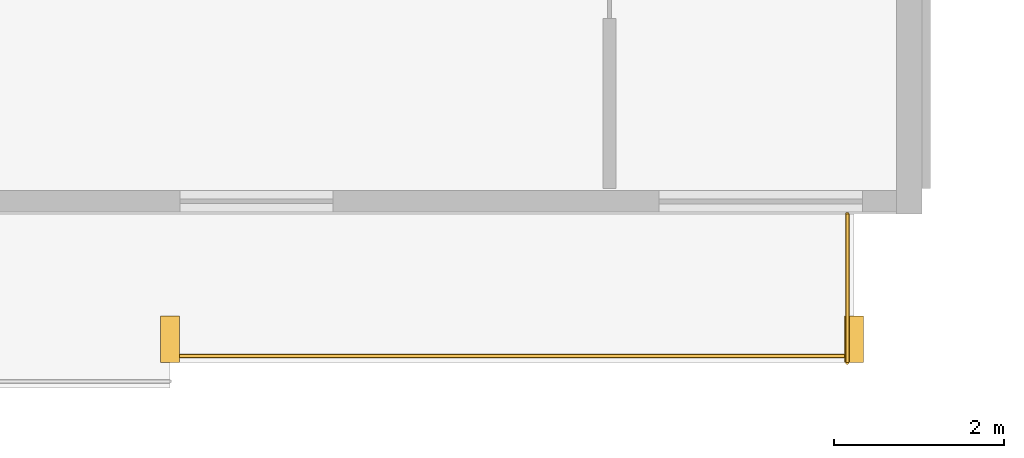
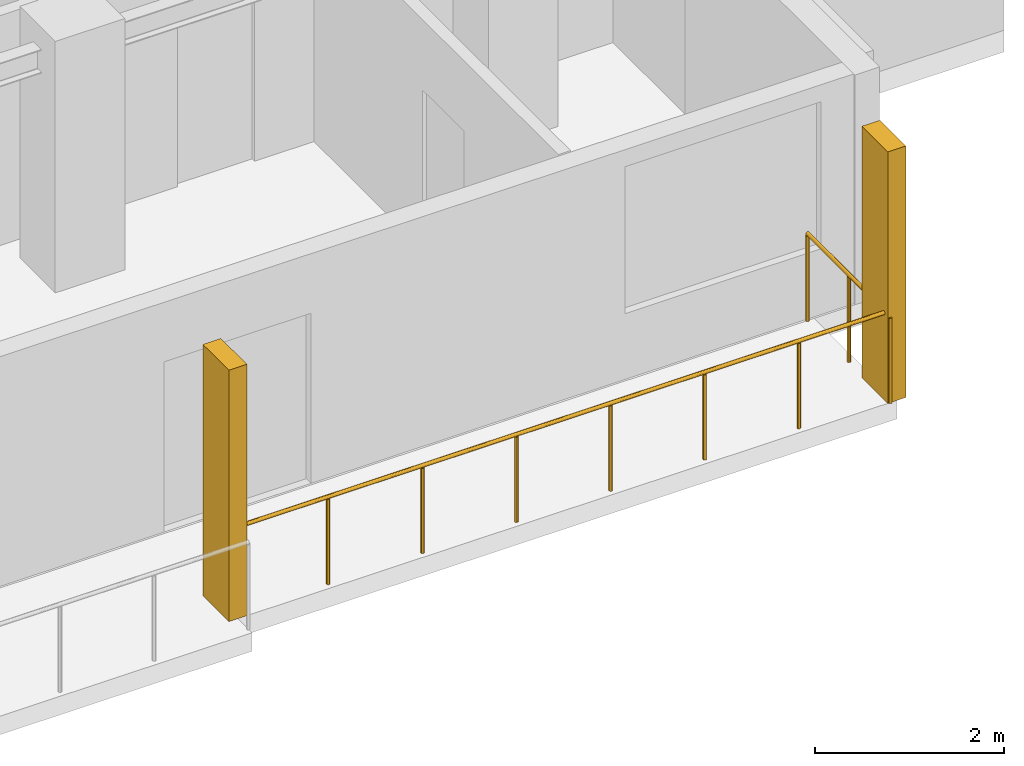
# One storey, part 19 of 21: 2 railings, 2 shading devices.
"""IFC4 building model written with IfcOpenShell, lengths in metres."""

from ifc_helpers import new_model, si_unit, direction, frame, origin, origin_2d, place, context, subcontext, project, spatial, rectangle, circle, extrude, material, type_object, element, save


model = new_model("IFC4")

# Units and contexts
model_context = context("Model", 3, precision=1e-05, world=origin(), true_north=direction((0.0, 1.0)))
body_context = subcontext(model_context, "Body", "Model", "MODEL_VIEW")
ifc_project = project(units=[si_unit("LENGTHUNIT", "METRE"), si_unit("AREAUNIT", "SQUARE_METRE"), si_unit("VOLUMEUNIT", "CUBIC_METRE"), si_unit("PLANEANGLEUNIT", "RADIAN"), si_unit("MASSUNIT", "GRAM", prefix="KILO")], contexts=[model_context])

# Site, building, storey
site_placement = place(None, origin())
site = spatial("IfcSite", under=ifc_project, at=site_placement, CompositionType="ELEMENT")
building_placement = place(site_placement, origin())
building = spatial("IfcBuilding", under=site, at=building_placement, Name="Korimba Cascade Residences", CompositionType="ELEMENT")
storey_placement = place(building_placement, frame((0.0, 0.0, 113.300048828125)))
storey = spatial("IfcBuildingStorey", under=building, at=storey_placement, Name="L32", CompositionType="ELEMENT", Elevation=113.300048828125)

# Railings
ifc_material_1 = material(Name="Laminated Glass and Bronze Balustrade", Category="glass")
railing_type = type_object("IfcRailingType", Name="RLG-LOG-1150", PredefinedType="BALUSTRADE", material=ifc_material_1)
railing_1_placement = place(storey_placement, frame((121.843017578125, -10.669921875, 0.0)))
element("IfcRailing", 1, at=railing_1_placement, inside=storey, type_object=railing_type, Name="L32 Perimeter Guardrail RLG-L32-T2-LOG-06", PredefinedType="BALUSTRADE", context=body_context, shape_type="SweptSolid", body=[
    extrude(circle(Radius=0.02392578125, at=origin_2d()), frame((0.0, 0.0, 1.1259765625), z_axis=(1.0, 0.0, 0.0), x_axis=(0.0, 1.0, 0.0)), (0.0, 0.0, 1.0), 8.056884765625),
    extrude(circle(Radius=0.02099609375, at=origin_2d()), origin(), (0.0, 0.0, 1.0), 1.101806640625),
    extrude(circle(Radius=0.02099609375, at=origin_2d()), frame((1.15087890625, 0.0, 0.0)), (0.0, 0.0, 1.0), 1.101806640625),
    extrude(circle(Radius=0.02099609375, at=origin_2d()), frame((2.302001953125, 0.0, 0.0)), (0.0, 0.0, 1.0), 1.101806640625),
    extrude(circle(Radius=0.02099609375, at=origin_2d()), frame((3.452880859375, 0.0, 0.0)), (0.0, 0.0, 1.0), 1.101806640625),
    extrude(circle(Radius=0.02099609375, at=origin_2d()), frame((4.60400390625, 0.0, 0.0)), (0.0, 0.0, 1.0), 1.101806640625),
    extrude(circle(Radius=0.02099609375, at=origin_2d()), frame((5.7548828125, 0.0, 0.0)), (0.0, 0.0, 1.0), 1.101806640625),
    extrude(circle(Radius=0.02099609375, at=origin_2d()), frame((6.906005859375, 0.0, 0.0)), (0.0, 0.0, 1.0), 1.101806640625),
    extrude(circle(Radius=0.02099609375, at=origin_2d()), frame((8.056884765625, 0.0, 0.0)), (0.0, 0.0, 1.0), 1.101806640625),
])
railing_2_placement = place(storey_placement, frame((129.820068359375, -10.75, 0.0)))
element("IfcRailing", 2, at=railing_2_placement, inside=storey, type_object=railing_type, Name="L32 Perimeter Guardrail RLG-L32-T2-LOG-07", PredefinedType="BALUSTRADE", context=body_context, shape_type="SweptSolid", body=[
    extrude(circle(Radius=0.02392578125, at=origin_2d()), frame((0.0, 0.0, 1.1259765625), z_axis=(0.0, 1.0, 0.0), x_axis=(-1.0, 0.0, 0.0)), (0.0, 0.0, 1.0), 1.75),
    extrude(circle(Radius=0.02099609375, at=origin_2d()), origin(), (0.0, 0.0, 1.0), 1.101806640625),
    extrude(circle(Radius=0.02099609375, at=origin_2d()), frame((0.0, 0.875, 0.0)), (0.0, 0.0, 1.0), 1.101806640625),
    extrude(circle(Radius=0.02099609375, at=origin_2d()), frame((0.0, 1.75, 0.0)), (0.0, 0.0, 1.0), 1.101806640625),
])

# Shading devices
ifc_material_2 = material(Name="Honed Sandstone Precast Fin", Category="masonry")
shading_device_type = type_object("IfcShadingDeviceType", Name="SHD-FIN-550", PredefinedType="USERDEFINED", material=ifc_material_2)
for number, where, z_axis, x_axis, name in (
    (3, (121.843017578125, -10.47509765625, 0.0), (0.0, 0.0, 1.0), (1.0, 0.0, 0.0), "L32 T2 Warm-Stone Loggia Fin 7"),
    (4, (129.89990234375, -10.47509765625, 0.0), (0.0, 0.0, 1.0), (1.0, 0.0, 0.0), "L32 T2 Warm-Stone Loggia Fin 8"),
):
    element("IfcShadingDevice", number, at=place(storey_placement, frame(where, z_axis=z_axis, x_axis=x_axis)), inside=storey, type_object=shading_device_type, Name=name, ObjectType="FIN", PredefinedType="USERDEFINED", context=body_context, shape_type="SweptSolid", body=[
        extrude(rectangle(XDim=0.219970703125, YDim=0.550048828125, at=origin_2d()), origin(), (0.0, 0.0, 1.0), 3.25),
    ])

save(model, "model.ifc")
